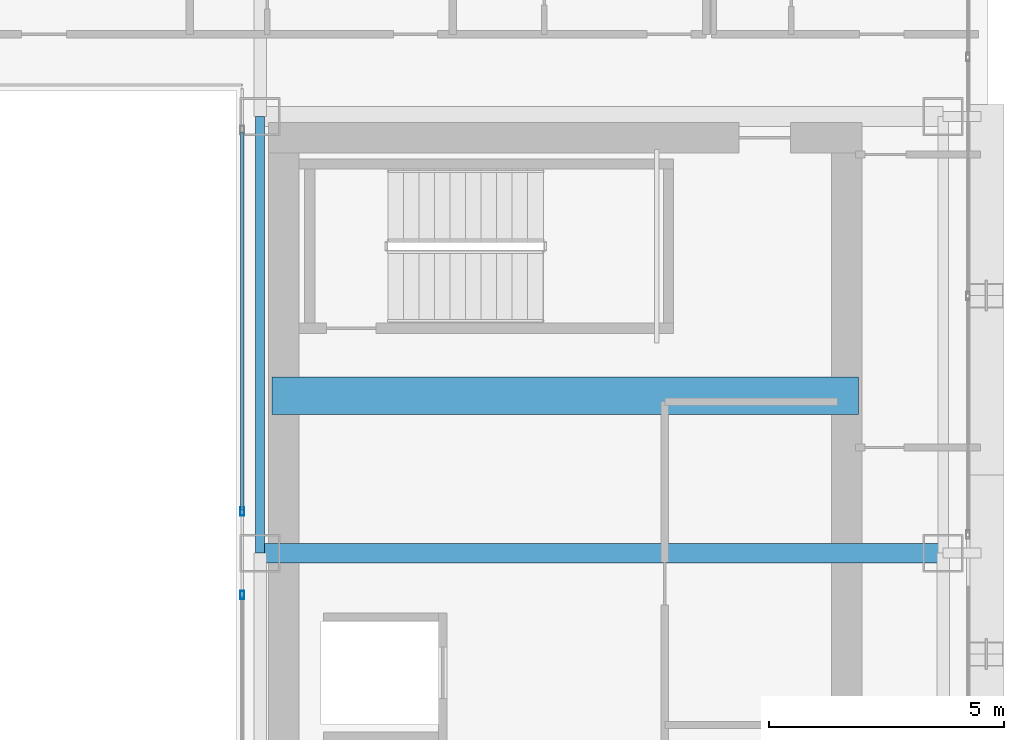
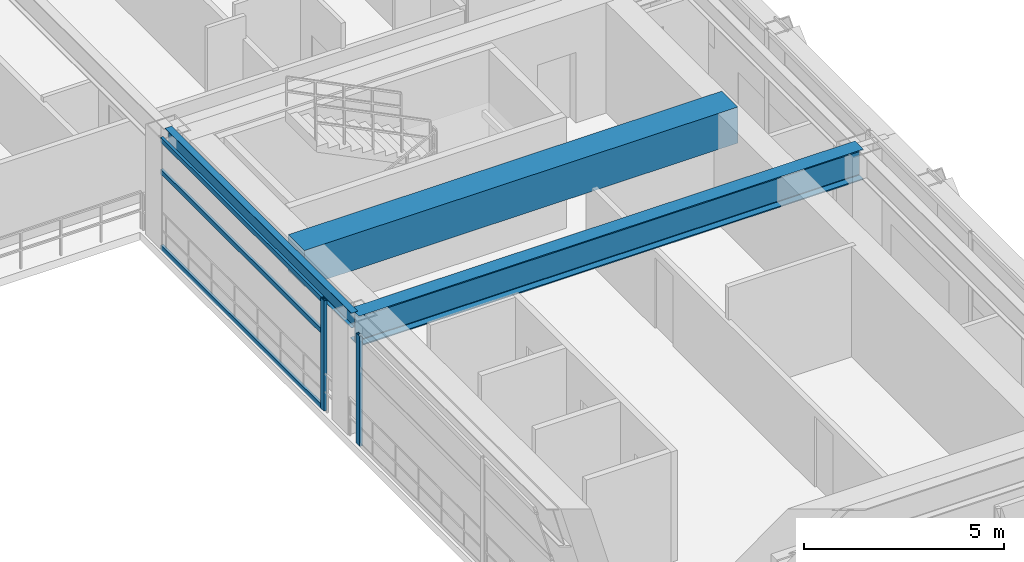
# One storey, part 17 of 39: 5 members, 3 beams, 2 elements without a shape of their own.
"""IFC4 building model written with IfcOpenShell, lengths in metres."""

from ifc_helpers import new_model, si_unit, direction, frame, origin, origin_2d, place, context, subcontext, project, spatial, rectangle, hollow_rectangle, i_section, extrude, source, transform, mapped, material, layer, layer_set, material_profile, profile_set, type_object, element, aggregate, save


model = new_model("IFC4")

# Units and contexts
model_context = context("Model", 3, precision=1e-05, world=origin(), true_north=direction((0.0, 1.0)))
body_context = subcontext(model_context, "Body", "Model", "MODEL_VIEW")
ifc_project = project(units=[si_unit("LENGTHUNIT", "METRE"), si_unit("AREAUNIT", "SQUARE_METRE"), si_unit("VOLUMEUNIT", "CUBIC_METRE"), si_unit("PLANEANGLEUNIT", "RADIAN"), si_unit("MASSUNIT", "GRAM", prefix="KILO")], contexts=[model_context])

# Site, building, storey
site_placement = place(None, origin())
site = spatial("IfcSite", under=ifc_project, at=site_placement, CompositionType="ELEMENT")
building_placement = place(site_placement, origin())
building = spatial("IfcBuilding", under=site, at=building_placement, Name="Ocotamira Hotel", CompositionType="ELEMENT")
storey_placement = place(building_placement, frame((0.0, 0.0, 126.0)))
storey = spatial("IfcBuildingStorey", under=building, at=storey_placement, Name="L31", CompositionType="ELEMENT", Elevation=126.0)

# Beams
ifc_material_1 = material(Name="Concrete C60/75", Category="concrete")
ifc_material_profile_1 = material_profile(ifc_material_1, rectangle(XDim=0.800048828125, YDim=1.10009765625, at=origin_2d()), Name="RC800X1100")
ifc_profile_set_1 = profile_set([ifc_material_profile_1], Name="Concrete C60/75")
beam_type_1 = type_object("IfcBeamType", Name="BM-LINK-RC800", PredefinedType="LINTEL", material=ifc_profile_set_1)
shared_shape_1 = source(origin(), body_context, "Body", "SweptSolid", [
    extrude(rectangle(XDim=0.800048828125, YDim=1.10009765625, at=origin_2d()), origin(), (0.0, 0.0, 1.0), 12.5),
])
beam_1_placement = place(storey_placement, frame((40.75, 31.5, 2.81005859375), z_axis=(1.0, 0.0, 0.0), x_axis=(0.0, 1.0, 0.0)))
element("IfcBeam", 1, at=beam_1_placement, inside=storey, type_object=beam_type_1, Name="L31 East Core Coupling Beam", PredefinedType="LINTEL", context=body_context, shape_type="MappedRepresentation", body=[
    mapped(shared_shape_1, transform((0.0, 0.0, 0.0), scale=1.0)),
])
ifc_material_2 = material(Name="Steel ASTM A992 Grade 50", Category="steel")
ifc_material_profile_2 = material_profile(ifc_material_2, i_section(OverallWidth=0.41796875, OverallDepth=0.927001953125, WebThickness=0.019287109375, FlangeThickness=0.031982421875, FilletRadius=0.02392578125, at=origin_2d()), Name="W36X231")
ifc_profile_set_2 = profile_set([ifc_material_profile_2], Name="Steel ASTM A992 Grade 50")
beam_type_2 = type_object("IfcBeamType", Name="BM-GIRD-W36X231", PredefinedType="BEAM", material=ifc_profile_set_2)
shared_shape_2 = source(origin(), body_context, "Body", "SweptSolid", [
    extrude(i_section(OverallWidth=0.41796875, OverallDepth=0.927001953125, WebThickness=0.019287109375, FlangeThickness=0.031982421875, FilletRadius=0.02392578125, at=origin_2d()), origin(), (0.0, 0.0, 1.0), 14.550048828125),
])
beam_2_placement = place(storey_placement, frame((40.5, 28.14990234375, 2.896484375), z_axis=(1.0, 0.0, 0.0), x_axis=(0.0, 1.0, 0.0)))
element("IfcBeam", 2, at=beam_2_placement, inside=storey, type_object=beam_type_2, Name="L31 Girder Y28.15 X40.5-55.05", PredefinedType="BEAM", context=body_context, shape_type="MappedRepresentation", body=[
    mapped(shared_shape_2, transform((0.0, 0.0, 0.0), scale=1.0)),
])
ifc_material_profile_3 = material_profile(ifc_material_2, i_section(OverallWidth=0.18994140625, OverallDepth=0.45703125, WebThickness=0.009033203125, FlangeThickness=0.014404296875, FilletRadius=0.010009765625, at=origin_2d()), Name="W18X50")
ifc_profile_set_3 = profile_set([ifc_material_profile_3], Name="Steel ASTM A992 Grade 50")
beam_type_3 = type_object("IfcBeamType", Name="BM-SEC-W18X50", PredefinedType="JOIST", material=ifc_profile_set_3)
shared_shape_3 = source(origin(), body_context, "Body", "SweptSolid", [
    extrude(i_section(OverallWidth=0.18994140625, OverallDepth=0.45703125, WebThickness=0.009033203125, FlangeThickness=0.014404296875, FilletRadius=0.010009765625, at=origin_2d()), origin(), (0.0, 0.0, 1.0), 9.300048828125),
])
beam_3_placement = place(storey_placement, frame((40.5, 28.14990234375, 3.131591796875), z_axis=(0.0, 1.0, 0.0), x_axis=(-1.0, 0.0, 0.0)))
element("IfcBeam", 3, at=beam_3_placement, inside=storey, type_object=beam_type_3, Name="L31 Beam X40.5 Y28.15-37.45", PredefinedType="JOIST", context=body_context, shape_type="MappedRepresentation", body=[
    mapped(shared_shape_3, transform((0.0, 0.0, 0.0), scale=1.0)),
])

# Curtain wall, members
ifc_material_3 = material(Name="Anodised pale-metal aluminium and solar glass", Category="aluminium")
ifc_layer = layer(ifc_material_3, 0.159912109375)
ifc_layer_set = layer_set([ifc_layer], Name="Anodised pale-metal aluminium and solar glass")
curtain_wall_type = type_object("IfcCurtainWallType", Name="CW-SYS6-ATR", PredefinedType="NOTDEFINED", material=ifc_layer_set)
curtain_wall_1_placement = place(storey_placement, origin())
curtain_wall_1 = element("IfcCurtainWall", 4, at=curtain_wall_1_placement, inside=storey, type_object=curtain_wall_type, Name="L31 Curtain Wall CW-6 CW-L31-ATRE2", PredefinedType="NOTDEFINED")
ifc_material_4 = material(Name="Anodised pale-metal aluminium 6063-T6", Category="aluminium")
ifc_material_profile_4 = material_profile(ifc_material_4, hollow_rectangle(XDim=0.074951171875, YDim=0.14990234375, WallThickness=0.006103515625, at=origin_2d()), Name="HSS150X75X6")
ifc_profile_set_4 = profile_set([ifc_material_profile_4], Name="Anodised pale-metal aluminium 6063-T6")
member_type_1 = type_object("IfcMemberType", Name="CWT-150X75", PredefinedType="USERDEFINED", material=ifc_profile_set_4)
shared_shape_4 = source(origin(), body_context, "Body", "SweptSolid", [
    extrude(hollow_rectangle(XDim=0.074951171875, YDim=0.14990234375, WallThickness=0.006103515625, at=origin_2d()), origin(), (0.0, 0.0, 1.0), 8.0400390625),
])
member_1_placement = place(storey_placement, frame((40.1201171875, 29.080078125, 0.03759765625), z_axis=(0.0, 1.0, 0.0), x_axis=(-1.0, 0.0, 0.0)))
member_1 = element("IfcMember", 5, at=member_1_placement, type_object=member_type_1, Name="CW-6 transom 1.1", ObjectType="TRANSOM", PredefinedType="USERDEFINED", context=body_context, shape_type="MappedRepresentation", body=[
    mapped(shared_shape_4, transform((0.0, 0.0, 0.0), scale=1.0)),
])
member_2_placement = place(storey_placement, frame((40.1201171875, 29.080078125, 2.35009765625), z_axis=(0.0, 1.0, 0.0), x_axis=(-1.0, 0.0, 0.0)))
member_2 = element("IfcMember", 6, at=member_2_placement, type_object=member_type_1, Name="CW-6 transom 1.2", ObjectType="TRANSOM", PredefinedType="USERDEFINED", context=body_context, shape_type="MappedRepresentation", body=[
    mapped(shared_shape_4, transform((0.0, 0.0, 0.0), scale=1.0)),
])
member_3_placement = place(storey_placement, frame((40.1201171875, 29.080078125, 3.322509765625), z_axis=(0.0, 1.0, 0.0), x_axis=(-1.0, 0.0, 0.0)))
member_3 = element("IfcMember", 7, at=member_3_placement, type_object=member_type_1, Name="CW-6 transom 1.3", ObjectType="TRANSOM", PredefinedType="USERDEFINED", context=body_context, shape_type="MappedRepresentation", body=[
    mapped(shared_shape_4, transform((0.0, 0.0, 0.0), scale=1.0)),
])

# Curtain wall, member
curtain_wall_2_placement = place(storey_placement, origin())
curtain_wall_2 = element("IfcCurtainWall", 8, at=curtain_wall_2_placement, inside=storey, type_object=curtain_wall_type, Name="L31 Curtain Wall CW-6 CW-L31-ATRE1", PredefinedType="NOTDEFINED")
ifc_material_profile_5 = material_profile(ifc_material_4, hollow_rectangle(XDim=0.080078125, YDim=0.179931640625, WallThickness=0.006103515625, at=origin_2d()), Name="HSS180X80X6")
ifc_profile_set_5 = profile_set([ifc_material_profile_5], Name="Anodised pale-metal aluminium 6063-T6")
member_type_2 = type_object("IfcMemberType", Name="CWM-180X75", PredefinedType="MULLION", material=ifc_profile_set_5)
shared_shape_5 = source(origin(), body_context, "Body", "SweptSolid", [
    extrude(hollow_rectangle(XDim=0.080078125, YDim=0.179931640625, WallThickness=0.006103515625, at=origin_2d()), origin(), (0.0, 0.0, 1.0), 3.360107421875),
])
member_4_placement = place(storey_placement, frame((40.1201171875, 27.260009765625, 0.0), z_axis=(0.0, 0.0, 1.0), x_axis=(-1.0, 0.0, 0.0)))
member_4 = element("IfcMember", 9, at=member_4_placement, type_object=member_type_2, Name="CW-6 mullion 3", PredefinedType="MULLION", context=body_context, shape_type="MappedRepresentation", body=[
    mapped(shared_shape_5, transform((0.0, 0.0, 0.0), scale=1.0)),
])
aggregate(curtain_wall_2, [member_4])

# Member
member_5_placement = place(storey_placement, frame((40.1201171875, 29.0400390625, 0.0), z_axis=(0.0, 0.0, 1.0), x_axis=(-1.0, 0.0, 0.0)))
member_5 = element("IfcMember", 10, at=member_5_placement, type_object=member_type_2, Name="CW-6 mullion 1", PredefinedType="MULLION", context=body_context, shape_type="MappedRepresentation", body=[
    mapped(shared_shape_5, transform((0.0, 0.0, 0.0), scale=1.0)),
])

aggregate(curtain_wall_1, [member_5, member_1, member_2, member_3])

save(model, "model.ifc")
